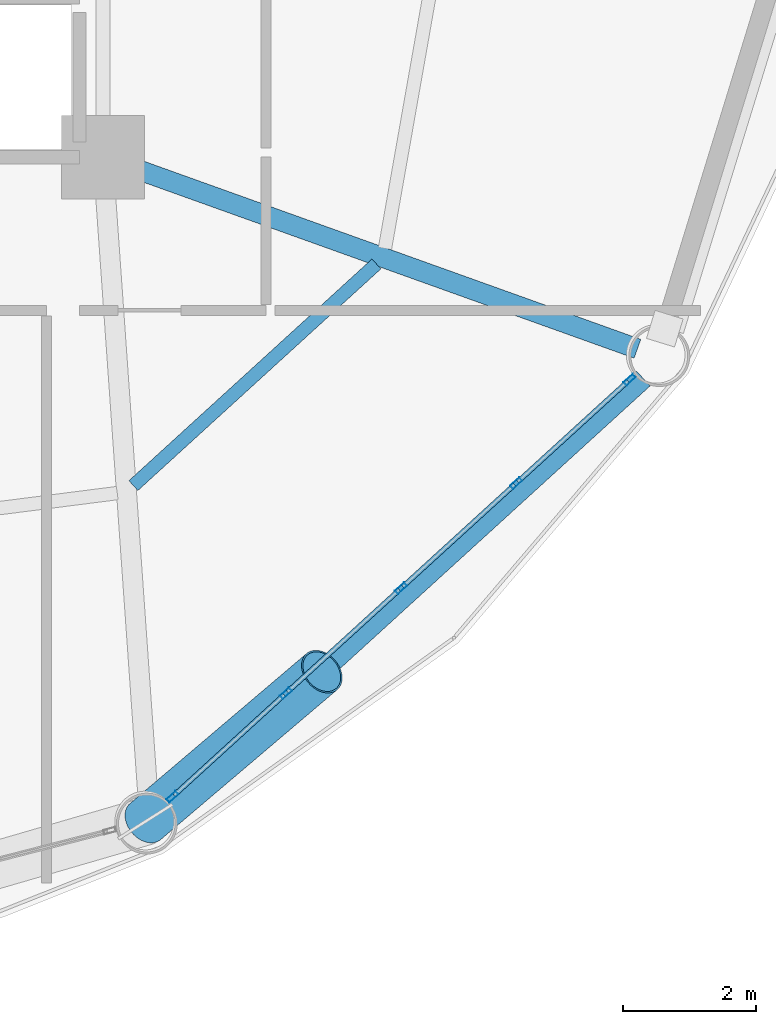
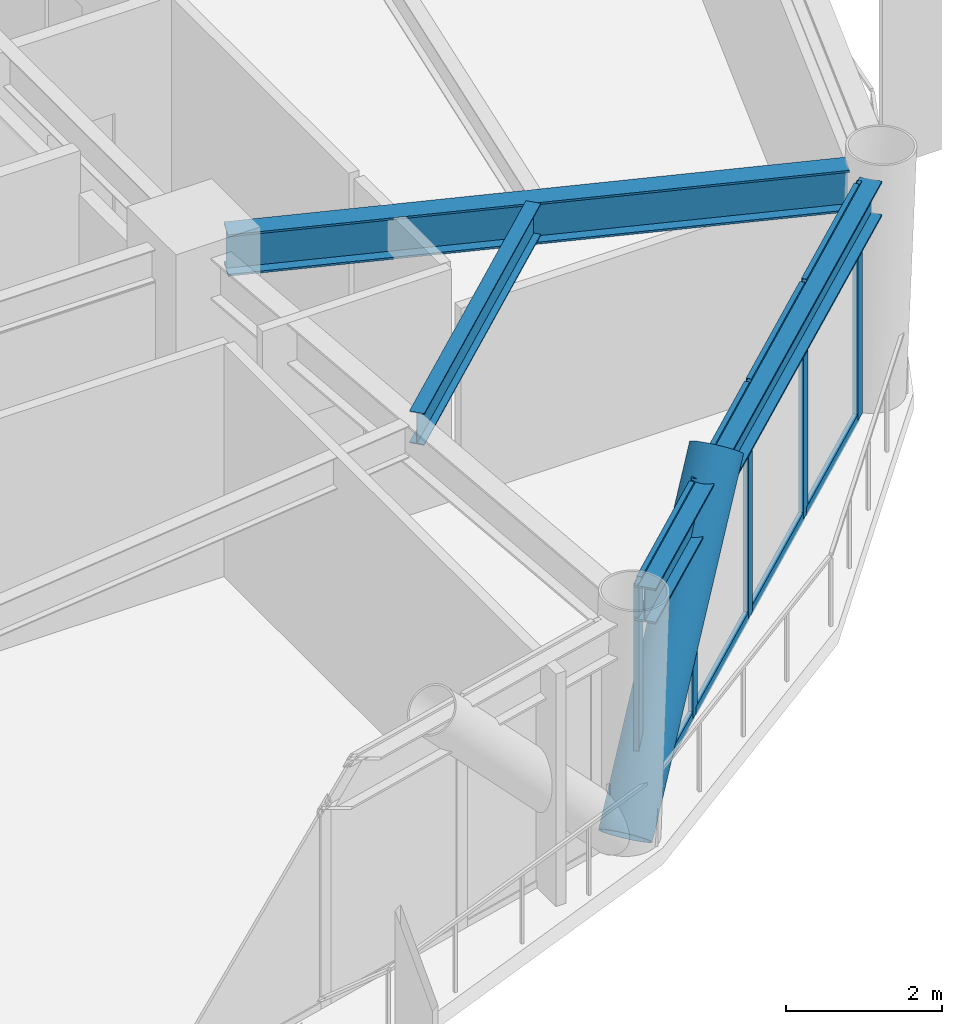
# One storey, part 13 of 26: 14 members, 3 beams, 1 element without a shape of its own.
"""IFC4 building model written with IfcOpenShell, lengths in metres."""

import ifcopenshell
import ifcopenshell.guid

model = None  # the IFC model being written
_history = None  # IfcOwnerHistory: only IFC2X3 demands one
_inside = {}  # id of a spatial element -> (the spatial element, [elements in it])
_under = {}  # id of a project, library or spatial element -> (it, [spatial elements below it])
_declared = {}  # id of a project -> (the project, [libraries it declares])
_typed = {}  # id of a type object -> (the type object, [elements of that type])
_made_of = {}  # id of a material, layer set ... -> (it, [elements and type objects made of it])


def new_model(schema):
    """Start an empty IFC model of exactly this schema.

    Asked for "IFC4X3", IfcOpenShell would pick the latest addendum, in which some entities
    have other attributes; the version numbers below select the first issue.
    IFC2X3 requires an IfcOwnerHistory on every rooted entity: one is made here for all.
    """
    global model, _history
    if schema == "IFC4X3":
        model = ifcopenshell.file(schema_version=(4, 3, 0, 0))
    else:
        model = ifcopenshell.file(schema=schema)
    _inside.clear()
    _under.clear()
    _declared.clear()
    _typed.clear()
    _made_of.clear()
    _history = None
    if model.schema == "IFC2X3":
        org = make("IfcOrganization", Name="unknown")
        user = make(
            "IfcPersonAndOrganization",
            ThePerson=make("IfcPerson", FamilyName="unknown"),
            TheOrganization=org,
        )
        app = make(
            "IfcApplication",
            ApplicationDeveloper=org,
            Version="unknown",
            ApplicationFullName="unknown",
            ApplicationIdentifier="unknown",
        )
        _history = make(
            "IfcOwnerHistory",
            OwningUser=user,
            OwningApplication=app,
            ChangeAction="ADDED",
            CreationDate=0,
        )
    return model


def make(cls, **values):
    """One entity of the class cls with the attributes given. An attribute that is None is left unset."""
    return model.create_entity(
        cls, **{name: value for name, value in values.items() if value is not None}
    )


def rooted(cls, **values):
    """An entity with a GlobalId (a new one), such as an element, a storey or a relation."""
    return make(cls, GlobalId=ifcopenshell.guid.new(), OwnerHistory=_history, **values)


def si_unit(unit_type, name, prefix=None):
    """IfcSIUnit, for example si_unit("LENGTHUNIT", "METRE", prefix="MILLI")."""
    return make("IfcSIUnit", UnitType=unit_type, Prefix=prefix, Name=name)


def assignment(units):
    """IfcUnitAssignment: the units of a project."""
    return None if units is None else make("IfcUnitAssignment", Units=units)


def point(xyz):
    """IfcCartesianPoint."""
    return None if xyz is None else make("IfcCartesianPoint", Coordinates=xyz)


def direction(xyz):
    """IfcDirection."""
    return None if xyz is None else make("IfcDirection", DirectionRatios=xyz)


def frame(location, z_axis=None, x_axis=None):
    """IfcAxis2Placement3D, a coordinate frame: its origin and axes. An axis left out is left unset."""
    return make(
        "IfcAxis2Placement3D",
        Location=point(location),
        Axis=direction(z_axis),
        RefDirection=direction(x_axis),
    )


def frame_2d(location, x_axis=None):
    """IfcAxis2Placement2D, a coordinate frame in the plane: its origin and x axis."""
    return make(
        "IfcAxis2Placement2D", Location=point(location), RefDirection=direction(x_axis)
    )


def origin():
    """The frame at (0, 0, 0) with its axes left unset."""
    return frame((0.0, 0.0, 0.0))


def origin_2d():
    """The frame at (0, 0) in the plane with its x axis left unset."""
    return frame_2d((0.0, 0.0))


def place(relative_to, where):
    """IfcLocalPlacement: puts the frame where relative to a parent placement (None: the world)."""
    return make(
        "IfcLocalPlacement", PlacementRelTo=relative_to, RelativePlacement=where
    )


def context(
    kind, dimensions, precision=None, world=None, true_north=None, identifier=None
):
    """IfcGeometricRepresentationContext, for example the 3D "Model" context."""
    return make(
        "IfcGeometricRepresentationContext",
        ContextIdentifier=identifier,
        ContextType=kind,
        CoordinateSpaceDimension=dimensions,
        Precision=precision,
        WorldCoordinateSystem=world,
        TrueNorth=true_north,
    )


def subcontext(parent, identifier, kind, view, scale=None):
    """IfcGeometricRepresentationSubContext, for example "Body" below "Model"."""
    return make(
        "IfcGeometricRepresentationSubContext",
        ContextIdentifier=identifier,
        ContextType=kind,
        ParentContext=parent,
        TargetScale=scale,
        TargetView=view,
    )


def project(units=None, contexts=None):
    """IfcProject with its units and contexts."""
    return rooted(
        "IfcProject",
        Name="project",
        RepresentationContexts=contexts,
        UnitsInContext=assignment(units),
    )


def spatial(cls, under=None, at=None, **own):
    """A site, building, storey or space (cls), placed at a placement, below another one or the project."""
    s = rooted(cls, ObjectPlacement=at, **own)
    if under is not None:
        _under.setdefault(under.id(), (under, []))[1].append(s)
    return s


def profile(cls, at=None, kind="AREA", **sizes):
    """A parametric profile (cls). Its sizes go by their IFC names, for example OverallWidth=200.0."""
    return make(cls, ProfileType=kind, Position=at, **sizes)


def hollow_rectangle(**sizes):
    """IfcRectangleHollowProfileDef."""
    return profile("IfcRectangleHollowProfileDef", **sizes)


def hollow_circle(**sizes):
    """IfcCircleHollowProfileDef."""
    return profile("IfcCircleHollowProfileDef", **sizes)


def i_section(**sizes):
    """IfcIShapeProfileDef."""
    return profile("IfcIShapeProfileDef", **sizes)


def extrude(swept, where, along, depth):
    """IfcExtrudedAreaSolid: the profile swept, set in the frame where, extruded along a direction by depth."""
    return make(
        "IfcExtrudedAreaSolid",
        SweptArea=swept,
        Position=where,
        ExtrudedDirection=direction(along),
        Depth=depth,
    )


def shape(context_of_items, identifier, shape_type, items):
    """IfcShapeRepresentation: the items that make up one representation, for example the "Body"."""
    return make(
        "IfcShapeRepresentation",
        ContextOfItems=context_of_items,
        RepresentationIdentifier=identifier,
        RepresentationType=shape_type,
        Items=items,
    )


def material(Name=None, Category=None):
    """IfcMaterial."""
    return make("IfcMaterial", Name=Name, Category=Category)


def layer(
    of_material, thickness, ventilated=None, Name=None, Category=None, Priority=None
):
    """IfcMaterialLayer: one layer of a wall or slab, of a material (None: an air gap)."""
    return make(
        "IfcMaterialLayer",
        Material=of_material,
        LayerThickness=thickness,
        IsVentilated=ventilated,
        Name=Name,
        Category=Category,
        Priority=Priority,
    )


def layer_set(layers, Name=None):
    """IfcMaterialLayerSet."""
    return make("IfcMaterialLayerSet", MaterialLayers=layers, LayerSetName=Name)


def material_profile(
    of_material, cross_section, Name=None, Category=None, Priority=None
):
    """IfcMaterialProfile: a cross section and its material."""
    return make(
        "IfcMaterialProfile",
        Name=Name,
        Material=of_material,
        Profile=cross_section,
        Priority=Priority,
        Category=Category,
    )


def profile_set(profiles, Name=None, composite=None):
    """IfcMaterialProfileSet."""
    return make(
        "IfcMaterialProfileSet",
        Name=Name,
        MaterialProfiles=profiles,
        CompositeProfile=composite,
    )


def made_of(thing, what):
    """Note that an element or type object is made of a material, layer set ...; save() writes the relation."""
    if what is not None:
        _made_of.setdefault(what.id(), (what, []))[1].append(thing)
    return thing


def type_object(cls, material=None, **own):
    """A type object (cls), such as IfcWallType, which elements share."""
    return made_of(rooted(cls, **own), material)


def element(
    cls,
    number,
    at=None,
    inside=None,
    cuts=None,
    type_object=None,
    material=None,
    context=None,
    identifier="Body",
    shape_type=None,
    held_by="IfcProductDefinitionShape",
    body=None,
    shapes=None,
    **own,
):
    """One element of the class cls, such as IfcWall. Its Tag is "e" and its number.

    at: its placement. inside: the storey or other place that contains it. cuts: it is an
    opening in that element (IfcRelVoidsElement). A single representation is given by context,
    identifier, shape_type and body (its items); several are given by shapes. held_by: the class
    of the entity that holds the representations. save() writes the other relations.
    """
    e = rooted(cls, Tag="e%d" % number, ObjectPlacement=at, **own)
    if body is not None:
        shapes = [shape(context, identifier, shape_type, body)]
    if shapes is not None:
        e.Representation = make(held_by, Representations=shapes)
    if inside is not None:
        _inside.setdefault(inside.id(), (inside, []))[1].append(e)
    if cuts is not None:
        rooted(
            "IfcRelVoidsElement", RelatingBuildingElement=cuts, RelatedOpeningElement=e
        )
    if type_object is not None:
        _typed.setdefault(type_object.id(), (type_object, []))[1].append(e)
    return made_of(e, material)


def aggregate(whole, parts):
    """IfcRelAggregates: a whole, such as a stair, and the parts it consists of."""
    return rooted("IfcRelAggregates", RelatingObject=whole, RelatedObjects=parts)


def save(model, path):
    """Write the relations noted so far, then the file.

    IfcRelAggregates (storeys below a building ...), IfcRelContainedInSpatialStructure (elements
    in a storey), IfcRelDefinesByType, IfcRelAssociatesMaterial and IfcRelDeclares: one each for
    every whole, place, type object, material and project.
    """
    for whole, parts in _under.values():
        aggregate(whole, parts)
    for where, things in _inside.values():
        rooted(
            "IfcRelContainedInSpatialStructure",
            RelatedElements=things,
            RelatingStructure=where,
        )
    for kind, things in _typed.values():
        rooted("IfcRelDefinesByType", RelatedObjects=things, RelatingType=kind)
    for what, things in _made_of.values():
        rooted("IfcRelAssociatesMaterial", RelatedObjects=things, RelatingMaterial=what)
    for by, libraries in _declared.values():
        rooted("IfcRelDeclares", RelatingContext=by, RelatedDefinitions=libraries)
    model.write(path)


model = new_model("IFC4")

# Units and contexts
model_context = context("Model", 3, precision=1e-05, world=origin(), true_north=direction((0.0, 1.0)))
body_context = subcontext(model_context, "Body", "Model", "MODEL_VIEW")
ifc_project = project(units=[si_unit("LENGTHUNIT", "METRE"), si_unit("AREAUNIT", "SQUARE_METRE"), si_unit("VOLUMEUNIT", "CUBIC_METRE"), si_unit("PLANEANGLEUNIT", "RADIAN"), si_unit("MASSUNIT", "GRAM", prefix="KILO")], contexts=[model_context])

# Site, building, storey
site_placement = place(None, origin())
site = spatial("IfcSite", under=ifc_project, at=site_placement, CompositionType="ELEMENT")
building_placement = place(site_placement, origin())
building = spatial("IfcBuilding", under=site, at=building_placement, Name="Varnakorn Sky Granary", CompositionType="ELEMENT")
storey_placement = place(building_placement, frame((0.0, 0.0, 51.0)))
storey = spatial("IfcBuildingStorey", under=building, at=storey_placement, Name="L12", CompositionType="ELEMENT", Elevation=51.0)

# Beams
ifc_material_1 = material(Name="Steel S355JR", Category="steel")
ifc_material_profile_1 = material_profile(ifc_material_1, i_section(OverallWidth=0.300048828125, OverallDepth=0.64990234375, WebThickness=0.01611328125, FlangeThickness=0.031005859375, at=origin_2d()), Name="HE 650 B")
ifc_profile_set_1 = profile_set([ifc_material_profile_1], Name="Steel S355JR")
beam_type_1 = type_object("IfcBeamType", Name="BM-RAD-Z1", PredefinedType="BEAM", material=ifc_profile_set_1)
beam_1_placement = place(storey_placement, frame((8.745361328125, -6.74169921875, 3.31494140625), z_axis=(0.941320623168, -0.337513680312, 0.0), x_axis=(0.337513680312, 0.941320623168, 0.0)))
element("IfcBeam", 1, at=beam_1_placement, inside=storey, type_object=beam_type_1, Name="Radial Floor Girder RG12 L12", PredefinedType="BEAM", context=body_context, shape_type="SweptSolid", body=[
    extrude(i_section(OverallWidth=0.300048828125, OverallDepth=0.64990234375, WebThickness=0.01611328125, FlangeThickness=0.031005859375, at=origin_2d()), origin(), (0.0, 0.0, 1.0), 8.103759765625),
])
ifc_material_profile_2 = material_profile(ifc_material_1, i_section(OverallWidth=0.199951171875, OverallDepth=0.5, WebThickness=0.01025390625, FlangeThickness=0.01611328125, at=origin_2d()), Name="IPE 500")
ifc_profile_set_2 = profile_set([ifc_material_profile_2], Name="Steel S355JR")
beam_type_2 = type_object("IfcBeamType", Name="BM-SEC-Z1", PredefinedType="BEAM", material=ifc_profile_set_2)
beam_2_placement = place(storey_placement, frame((8.807373046875, -11.531005859375, 3.389892578125), z_axis=(0.738889958487, 0.673826112025, 0.0), x_axis=(-0.673826112025, 0.738889958487, 0.0)))
element("IfcBeam", 2, at=beam_2_placement, inside=storey, type_object=beam_type_2, Name="Secondary Floor Chord Beam MSB11 L12", PredefinedType="BEAM", context=body_context, shape_type="SweptSolid", body=[
    extrude(i_section(OverallWidth=0.199951171875, OverallDepth=0.5, WebThickness=0.01025390625, FlangeThickness=0.01611328125, at=origin_2d()), origin(), (0.0, 0.0, 1.0), 4.93798828125),
])
ifc_material_profile_3 = material_profile(ifc_material_1, i_section(OverallWidth=0.300048828125, OverallDepth=0.550048828125, WebThickness=0.014892578125, FlangeThickness=0.029052734375, at=origin_2d()), Name="HE 550 B")
ifc_profile_set_3 = profile_set([ifc_material_profile_3], Name="Steel S355JR")
beam_type_3 = type_object("IfcBeamType", Name="BM-SPD-Z1", PredefinedType="SPANDREL", material=ifc_profile_set_3)
beam_3_placement = place(storey_placement, frame((9.385986328125, -16.375, 3.364990234375), z_axis=(0.739023413374, 0.67367974178, 0.0), x_axis=(-0.67367974178, 0.739023413374, 0.0)))
element("IfcBeam", 3, at=beam_3_placement, inside=storey, type_object=beam_type_3, Name="Perimeter Spandrel Ring Beam RB11 L12", PredefinedType="SPANDREL", context=body_context, shape_type="SweptSolid", body=[
    extrude(i_section(OverallWidth=0.300048828125, OverallDepth=0.550048828125, WebThickness=0.014892578125, FlangeThickness=0.029052734375, at=origin_2d()), origin(), (0.0, 0.0, 1.0), 9.575927734375),
])

# Curtain wall, members
ifc_material_2 = material(Name="Anodised Bronze Aluminium Alloy 6063-T6", Category="aluminium")
ifc_layer = layer(ifc_material_2, 0.18994140625, Name="Anodised Bronze Aluminium Alloy 6063-T6")
ifc_layer_set = layer_set([ifc_layer], Name="Anodised Bronze Aluminium Alloy 6063-T6")
curtain_wall_type = type_object("IfcCurtainWallType", Name="CW-FRM-1", PredefinedType="USERDEFINED", material=ifc_layer_set)
curtain_wall_placement = place(storey_placement, origin())
curtain_wall = element("IfcCurtainWall", 4, at=curtain_wall_placement, inside=storey, type_object=curtain_wall_type, Name="Unitised Curtain Wall CW3 CW-L12-B11", ObjectType="CURTAIN WALL", PredefinedType="USERDEFINED")
ifc_material_profile_4 = material_profile(ifc_material_2, hollow_rectangle(XDim=0.070068359375, YDim=0.18505859375, WallThickness=0.00390625, at=origin_2d()), Name="ALU MULL 70x185")
ifc_profile_set_4 = profile_set([ifc_material_profile_4], Name="Anodised Bronze Aluminium Alloy 6063-T6")
member_type_1 = type_object("IfcMemberType", Name="CW-FRM-1-MULL", PredefinedType="MULLION", material=ifc_profile_set_4)
member_1_placement = place(storey_placement, frame((16.25537109375, -9.941162109375, 0.0), z_axis=(0.0, 0.0, 1.0), x_axis=(0.674049155123, -0.73868649404, 0.0)))
member_1 = element("IfcMember", 5, at=member_1_placement, type_object=member_type_1, Name="CW3 mullion 1", PredefinedType="MULLION", context=body_context, shape_type="SweptSolid", body=[
    extrude(hollow_rectangle(XDim=0.070068359375, YDim=0.18505859375, WallThickness=0.00390625, at=origin_2d()), origin(), (0.0, 0.0, 1.0), 3.639892578125),
])
member_2_placement = place(storey_placement, frame((14.552978515625, -11.494384765625, 0.0), z_axis=(0.0, 0.0, 1.0), x_axis=(0.674049155123, -0.73868649404, 0.0)))
member_2 = element("IfcMember", 6, at=member_2_placement, type_object=member_type_1, Name="CW3 mullion 2", PredefinedType="MULLION", context=body_context, shape_type="SweptSolid", body=[
    extrude(hollow_rectangle(XDim=0.070068359375, YDim=0.18505859375, WallThickness=0.00390625, at=origin_2d()), origin(), (0.0, 0.0, 1.0), 3.639892578125),
])
member_3_placement = place(storey_placement, frame((12.824951171875, -13.071533203125, 0.0), z_axis=(0.0, 0.0, 1.0), x_axis=(0.674049155123, -0.73868649404, 0.0)))
member_3 = element("IfcMember", 7, at=member_3_placement, type_object=member_type_1, Name="CW3 mullion 3", PredefinedType="MULLION", context=body_context, shape_type="SweptSolid", body=[
    extrude(hollow_rectangle(XDim=0.070068359375, YDim=0.18505859375, WallThickness=0.00390625, at=origin_2d()), origin(), (0.0, 0.0, 1.0), 3.639892578125),
])
member_4_placement = place(storey_placement, frame((11.0966796875, -14.6484375, 0.0), z_axis=(0.0, 0.0, 1.0), x_axis=(0.674049155123, -0.73868649404, 0.0)))
member_4 = element("IfcMember", 8, at=member_4_placement, type_object=member_type_1, Name="CW3 mullion 4", PredefinedType="MULLION", context=body_context, shape_type="SweptSolid", body=[
    extrude(hollow_rectangle(XDim=0.070068359375, YDim=0.18505859375, WallThickness=0.00390625, at=origin_2d()), origin(), (0.0, 0.0, 1.0), 3.639892578125),
])
member_5_placement = place(storey_placement, frame((9.394287109375, -16.201904296875, 0.0), z_axis=(0.0, 0.0, 1.0), x_axis=(0.674049155123, -0.73868649404, 0.0)))
member_5 = element("IfcMember", 9, at=member_5_placement, type_object=member_type_1, Name="CW3 mullion 5", PredefinedType="MULLION", context=body_context, shape_type="SweptSolid", body=[
    extrude(hollow_rectangle(XDim=0.070068359375, YDim=0.18505859375, WallThickness=0.00390625, at=origin_2d()), origin(), (0.0, 0.0, 1.0), 3.639892578125),
])
ifc_material_profile_5 = material_profile(ifc_material_2, hollow_rectangle(XDim=0.070068359375, YDim=0.139892578125, WallThickness=0.00341796875, at=origin_2d()), Name="ALU TRAN 70x140")
ifc_profile_set_5 = profile_set([ifc_material_profile_5], Name="Anodised Bronze Aluminium Alloy 6063-T6")
member_type_2 = type_object("IfcMemberType", Name="CW-FRM-1-TRAN", PredefinedType="USERDEFINED", material=ifc_profile_set_5)
member_6_placement = place(storey_placement, frame((16.2294921875, -9.964599609375, 0.034912109375), z_axis=(-0.738653403881, -0.674085416646, 0.0), x_axis=(0.674085416646, -0.738653403881, 0.0)))
member_6 = element("IfcMember", 10, at=member_6_placement, type_object=member_type_2, Name="CW3 transom 1.1", ObjectType="TRANSOM", PredefinedType="USERDEFINED", context=body_context, shape_type="SweptSolid", body=[
    extrude(hollow_rectangle(XDim=0.070068359375, YDim=0.139892578125, WallThickness=0.00341796875, at=origin_2d()), origin(), (0.0, 0.0, 1.0), 2.234619140625),
])
member_7_placement = place(storey_placement, frame((16.2294921875, -9.964599609375, 3.60498046875), z_axis=(-0.738653403881, -0.674085416646, 0.0), x_axis=(0.674085416646, -0.738653403881, 0.0)))
member_7 = element("IfcMember", 11, at=member_7_placement, type_object=member_type_2, Name="CW3 transom 1.2", ObjectType="TRANSOM", PredefinedType="USERDEFINED", context=body_context, shape_type="SweptSolid", body=[
    extrude(hollow_rectangle(XDim=0.070068359375, YDim=0.139892578125, WallThickness=0.00341796875, at=origin_2d()), origin(), (0.0, 0.0, 1.0), 2.234619140625),
])
member_8_placement = place(storey_placement, frame((14.527099609375, -11.51806640625, 0.034912109375), z_axis=(-0.738692728033, -0.674042323264, 0.0), x_axis=(0.674042323264, -0.738692728033, 0.0)))
member_8 = element("IfcMember", 12, at=member_8_placement, type_object=member_type_2, Name="CW3 transom 2.1", ObjectType="TRANSOM", PredefinedType="USERDEFINED", context=body_context, shape_type="SweptSolid", body=[
    extrude(hollow_rectangle(XDim=0.070068359375, YDim=0.139892578125, WallThickness=0.00341796875, at=origin_2d()), origin(), (0.0, 0.0, 1.0), 2.26953125),
])
member_9_placement = place(storey_placement, frame((14.527099609375, -11.51806640625, 3.60498046875), z_axis=(-0.738692728033, -0.674042323264, 0.0), x_axis=(0.674042323264, -0.738692728033, 0.0)))
member_9 = element("IfcMember", 13, at=member_9_placement, type_object=member_type_2, Name="CW3 transom 2.2", ObjectType="TRANSOM", PredefinedType="USERDEFINED", context=body_context, shape_type="SweptSolid", body=[
    extrude(hollow_rectangle(XDim=0.070068359375, YDim=0.139892578125, WallThickness=0.00341796875, at=origin_2d()), origin(), (0.0, 0.0, 1.0), 2.26953125),
])
member_10_placement = place(storey_placement, frame((12.799072265625, -13.094970703125, 0.034912109375), z_axis=(-0.738639168697, -0.674101015032, 0.0), x_axis=(0.674101015032, -0.738639168697, 0.0)))
member_10 = element("IfcMember", 14, at=member_10_placement, type_object=member_type_2, Name="CW3 transom 3.1", ObjectType="TRANSOM", PredefinedType="USERDEFINED", context=body_context, shape_type="SweptSolid", body=[
    extrude(hollow_rectangle(XDim=0.070068359375, YDim=0.139892578125, WallThickness=0.00341796875, at=origin_2d()), origin(), (0.0, 0.0, 1.0), 2.269775390625),
])
member_11_placement = place(storey_placement, frame((12.799072265625, -13.094970703125, 3.60498046875), z_axis=(-0.738639168697, -0.674101015032, 0.0), x_axis=(0.674101015032, -0.738639168697, 0.0)))
member_11 = element("IfcMember", 15, at=member_11_placement, type_object=member_type_2, Name="CW3 transom 3.2", ObjectType="TRANSOM", PredefinedType="USERDEFINED", context=body_context, shape_type="SweptSolid", body=[
    extrude(hollow_rectangle(XDim=0.070068359375, YDim=0.139892578125, WallThickness=0.00341796875, at=origin_2d()), origin(), (0.0, 0.0, 1.0), 2.269775390625),
])
member_12_placement = place(storey_placement, frame((11.07080078125, -14.672119140625, 0.034912109375), z_axis=(-0.738707803791, -0.674025801152, 0.0), x_axis=(0.674025801152, -0.738707803791, 0.0)))
member_12 = element("IfcMember", 16, at=member_12_placement, type_object=member_type_2, Name="CW3 transom 4.1", ObjectType="TRANSOM", PredefinedType="USERDEFINED", context=body_context, shape_type="SweptSolid", body=[
    extrude(hollow_rectangle(XDim=0.070068359375, YDim=0.139892578125, WallThickness=0.00341796875, at=origin_2d()), origin(), (0.0, 0.0, 1.0), 2.234375),
])
member_13_placement = place(storey_placement, frame((11.07080078125, -14.672119140625, 3.60498046875), z_axis=(-0.738707803791, -0.674025801152, 0.0), x_axis=(0.674025801152, -0.738707803791, 0.0)))
member_13 = element("IfcMember", 17, at=member_13_placement, type_object=member_type_2, Name="CW3 transom 4.2", ObjectType="TRANSOM", PredefinedType="USERDEFINED", context=body_context, shape_type="SweptSolid", body=[
    extrude(hollow_rectangle(XDim=0.070068359375, YDim=0.139892578125, WallThickness=0.00341796875, at=origin_2d()), origin(), (0.0, 0.0, 1.0), 2.234375),
])
aggregate(curtain_wall, [member_1, member_2, member_3, member_4, member_5, member_6, member_7, member_8, member_9, member_10, member_11, member_12, member_13])

# Member
ifc_material_3 = material(Name="Steel S460M", Category="steel")
ifc_material_profile_6 = material_profile(ifc_material_3, hollow_circle(Radius=0.35546875, WallThickness=0.02490234375, at=origin_2d()), Name="CHS 711x25")
ifc_profile_set_6 = profile_set([ifc_material_profile_6], Name="Steel S460M")
member_type_3 = type_object("IfcMemberType", Name="MB-DIAG-T0", PredefinedType="BRACE", material=ifc_profile_set_6)
member_14_placement = place(storey_placement, frame((8.986572265625, -16.573974609375, 0.0), z_axis=(0.515214202308, 0.437549921927, 0.736956166648), x_axis=(-0.647320139144, 0.762218234798, 0.0)))
element("IfcMember", 18, at=member_14_placement, inside=storey, type_object=member_type_3, Name="Perimeter CHS Diagrid Brace DG11 L12", PredefinedType="BRACE", context=body_context, shape_type="SweptSolid", body=[
    extrude(hollow_circle(Radius=0.35546875, WallThickness=0.02490234375, at=origin_2d()), origin(), (0.0, 0.0, 1.0), 5.142822265625),
])

save(model, "model.ifc")
